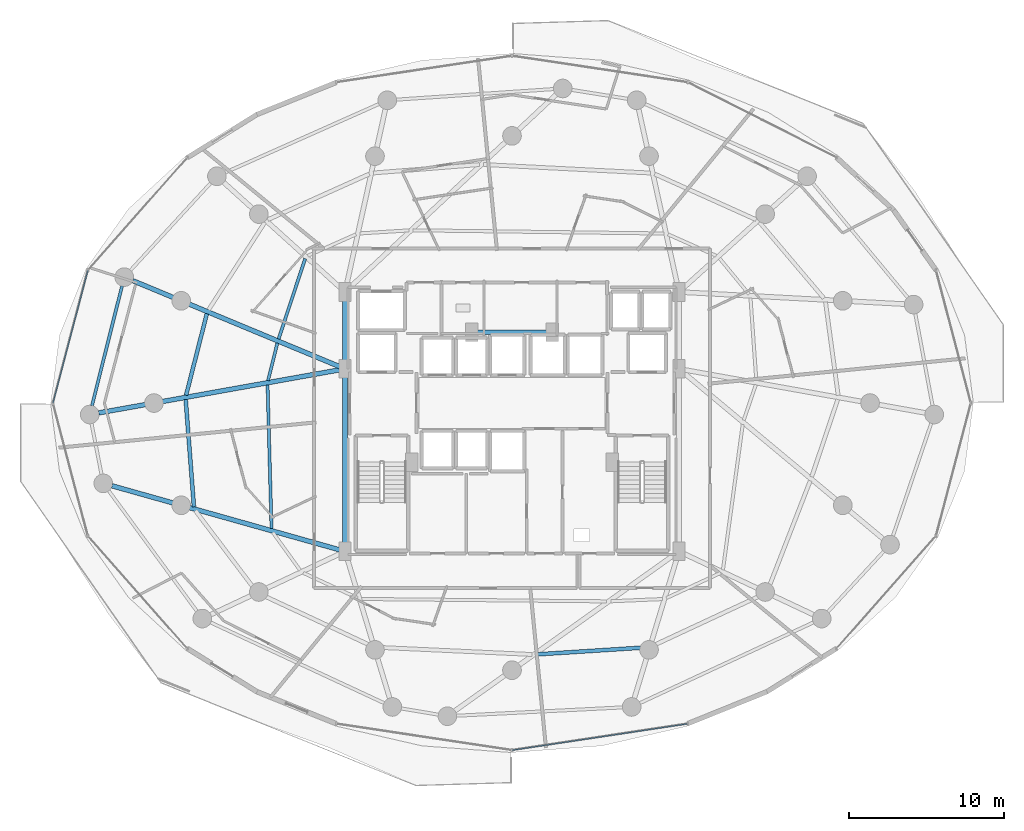
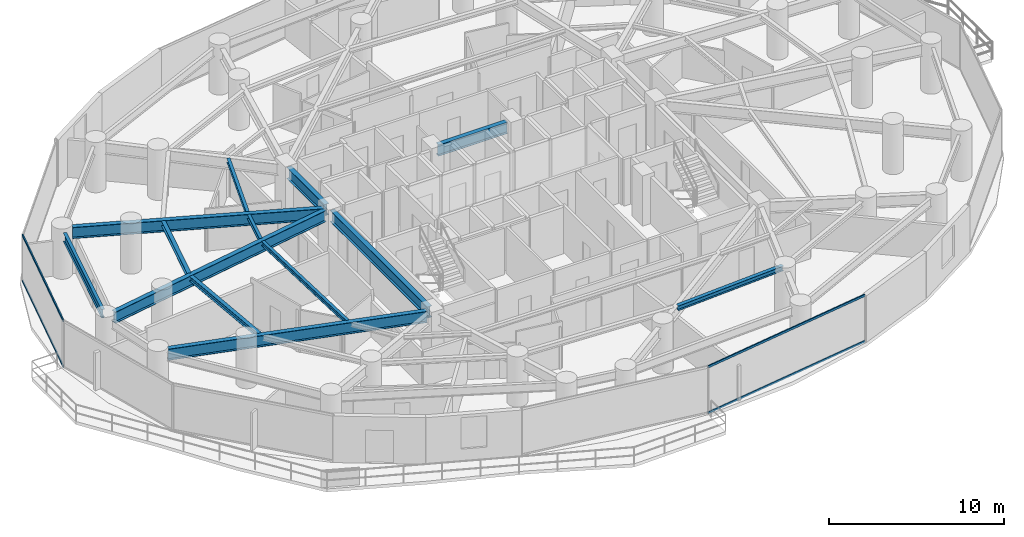
# One storey, part 8 of 30: 13 beams, 4 members, 2 elements without a shape of their own.
"""IFC4 building model written with IfcOpenShell, lengths in metres."""

from ifc_helpers import new_model, si_unit, direction, frame, origin, origin_2d, place, context, subcontext, project, spatial, hollow_rectangle, i_section, extrude, material, material_profile, profile_set, type_object, element, aggregate, save


model = new_model("IFC4")

# Units and contexts
model_context = context("Model", 3, precision=1e-05, world=origin(), true_north=direction((0.0, 1.0)))
body_context = subcontext(model_context, "Body", "Model", "MODEL_VIEW")
ifc_project = project(units=[si_unit("LENGTHUNIT", "METRE"), si_unit("AREAUNIT", "SQUARE_METRE"), si_unit("VOLUMEUNIT", "CUBIC_METRE"), si_unit("PLANEANGLEUNIT", "RADIAN"), si_unit("MASSUNIT", "GRAM", prefix="KILO")], contexts=[model_context])

# Site, building, storey
site_placement = place(None, origin())
site = spatial("IfcSite", under=ifc_project, at=site_placement, CompositionType="ELEMENT")
building_placement = place(site_placement, origin())
building = spatial("IfcBuilding", under=site, at=building_placement, Name="Vorneva Point Tower", CompositionType="ELEMENT")
storey_placement = place(building_placement, frame((0.0, 0.0, 55.5)))
storey = spatial("IfcBuildingStorey", under=building, at=storey_placement, Name="L14", CompositionType="ELEMENT", Elevation=55.5)

# Beams
ifc_material_1 = material(Name="Steel S355", Category="steel")
ifc_material_profile_1 = material_profile(ifc_material_1, i_section(OverallWidth=0.300048828125, OverallDepth=0.7880859375, WebThickness=0.014404296875, FlangeThickness=0.02197265625, at=origin_2d()), Name="80Sh1")
ifc_profile_set_1 = profile_set([ifc_material_profile_1], Name="Steel S355")
beam_type_1 = type_object("IfcBeamType", Name="BM-GRD-80Sh1", PredefinedType="USERDEFINED", material=ifc_profile_set_1)
beam_1_placement = place(storey_placement, frame((13.58203125, 33.8798828125, 2.845947265625), z_axis=(0.923441131162, -0.383740116847, 0.0), x_axis=(0.383740116847, 0.923441131162, 0.0)))
element("IfcBeam", 1, at=beam_1_placement, inside=storey, type_object=beam_type_1, Name="L14 Radial Primary Girder 08", ObjectType="GIRDER", PredefinedType="USERDEFINED", context=body_context, shape_type="SweptSolid", body=[
    extrude(i_section(OverallWidth=0.300048828125, OverallDepth=0.7880859375, WebThickness=0.014404296875, FlangeThickness=0.02197265625, at=origin_2d()), origin(), (0.0, 0.0, 1.0), 14.461181640625),
])
beam_2_placement = place(storey_placement, frame((11.396728515625, 25.364501953125, 2.845947265625), z_axis=(0.984378532035, 0.176065060895, 0.0), x_axis=(-0.176065060895, 0.984378532035, 0.0)))
element("IfcBeam", 2, at=beam_2_placement, inside=storey, type_object=beam_type_1, Name="L14 Radial Primary Girder 09", ObjectType="GIRDER", PredefinedType="USERDEFINED", context=body_context, shape_type="SweptSolid", body=[
    extrude(i_section(OverallWidth=0.300048828125, OverallDepth=0.7880859375, WebThickness=0.014404296875, FlangeThickness=0.02197265625, at=origin_2d()), origin(), (0.0, 0.0, 1.0), 15.764892578125),
])
beam_3_placement = place(storey_placement, frame((12.254150390625, 20.67041015625, 2.845947265625), z_axis=(0.962601076089, -0.270922808772, 0.0), x_axis=(0.270922808772, 0.962601076089, 0.0)))
element("IfcBeam", 3, at=beam_3_placement, inside=storey, type_object=beam_type_1, Name="L14 Radial Primary Girder 10", ObjectType="GIRDER", PredefinedType="USERDEFINED", context=body_context, shape_type="SweptSolid", body=[
    extrude(i_section(OverallWidth=0.300048828125, OverallDepth=0.7880859375, WebThickness=0.014404296875, FlangeThickness=0.02197265625, at=origin_2d()), origin(), (0.0, 0.0, 1.0), 15.23828125),
])
beam_4_placement = place(storey_placement, frame((27.25, 16.77001953125, 2.845947265625), z_axis=(0.0, 1.0, 0.0), x_axis=(-1.0, 0.0, 0.0)))
element("IfcBeam", 4, at=beam_4_placement, inside=storey, type_object=beam_type_1, Name="L14 Core Tie Girder CT1", ObjectType="GIRDER", PredefinedType="USERDEFINED", context=body_context, shape_type="SweptSolid", body=[
    extrude(i_section(OverallWidth=0.300048828125, OverallDepth=0.7880859375, WebThickness=0.014404296875, FlangeThickness=0.02197265625, at=origin_2d()), origin(), (0.0, 0.0, 1.0), 11.10986328125),
])
beam_5_placement = place(storey_placement, frame((27.25, 28.52001953125, 2.845947265625), z_axis=(0.0, 1.0, 0.0), x_axis=(-1.0, 0.0, 0.0)))
element("IfcBeam", 5, at=beam_5_placement, inside=storey, type_object=beam_type_1, Name="L14 Core Tie Girder CT2", ObjectType="GIRDER", PredefinedType="USERDEFINED", context=body_context, shape_type="SweptSolid", body=[
    extrude(i_section(OverallWidth=0.300048828125, OverallDepth=0.7880859375, WebThickness=0.014404296875, FlangeThickness=0.02197265625, at=origin_2d()), origin(), (0.0, 0.0, 1.0), 4.31005859375),
])
beam_6_placement = place(storey_placement, frame((35.719970703125, 30.550048828125, 2.845947265625), z_axis=(1.0, 0.0, 0.0), x_axis=(0.0, 1.0, 0.0)))
element("IfcBeam", 6, at=beam_6_placement, inside=storey, type_object=beam_type_1, Name="L14 Core Tie Girder CT8", ObjectType="GIRDER", PredefinedType="USERDEFINED", context=body_context, shape_type="SweptSolid", body=[
    extrude(i_section(OverallWidth=0.300048828125, OverallDepth=0.7880859375, WebThickness=0.014404296875, FlangeThickness=0.02197265625, at=origin_2d()), origin(), (0.0, 0.0, 1.0), 4.56005859375),
])
ifc_material_profile_2 = material_profile(ifc_material_1, i_section(OverallWidth=0.199951171875, OverallDepth=0.291015625, WebThickness=0.008056640625, FlangeThickness=0.010986328125, at=origin_2d()), Name="30Sh1")
ifc_profile_set_2 = profile_set([ifc_material_profile_2], Name="Steel S355")
beam_type_2 = type_object("IfcBeamType", Name="BM-SEC-30Sh1", PredefinedType="BEAM", material=ifc_profile_set_2)
beam_7_placement = place(storey_placement, frame((24.6865234375, 35.295166015625, 3.094482421875), z_axis=(-0.314599828302, -0.949224392877, 0.0), x_axis=(0.949224392877, -0.314599828302, 0.0)))
element("IfcBeam", 7, at=beam_7_placement, inside=storey, type_object=beam_type_2, Name="L14 Secondary Floor Beam 2.07", PredefinedType="BEAM", context=body_context, shape_type="SweptSolid", body=[
    extrude(i_section(OverallWidth=0.199951171875, OverallDepth=0.291015625, WebThickness=0.008056640625, FlangeThickness=0.010986328125, at=origin_2d()), origin(), (0.0, 0.0, 1.0), 5.445556640625),
])
beam_8_placement = place(storey_placement, frame((22.896484375, 29.861328125, 3.094482421875), z_axis=(-0.241890637233, -0.970303519327, 0.0), x_axis=(0.970303519327, -0.241890637233, 0.0)))
element("IfcBeam", 8, at=beam_8_placement, inside=storey, type_object=beam_type_2, Name="L14 Secondary Floor Beam 2.08", PredefinedType="BEAM", context=body_context, shape_type="SweptSolid", body=[
    extrude(i_section(OverallWidth=0.199951171875, OverallDepth=0.291015625, WebThickness=0.008056640625, FlangeThickness=0.010986328125, at=origin_2d()), origin(), (0.0, 0.0, 1.0), 2.493896484375),
])
beam_9_placement = place(storey_placement, frame((22.263427734375, 27.16943359375, 3.094482421875), z_axis=(0.027541538291, -0.999620659885, 0.0), x_axis=(0.999620659885, 0.027541538291, 0.0)))
element("IfcBeam", 9, at=beam_9_placement, inside=storey, type_object=beam_type_2, Name="L14 Secondary Floor Beam 2.09", PredefinedType="BEAM", context=body_context, shape_type="SweptSolid", body=[
    extrude(i_section(OverallWidth=0.199951171875, OverallDepth=0.291015625, WebThickness=0.008056640625, FlangeThickness=0.010986328125, at=origin_2d()), origin(), (0.0, 0.0, 1.0), 9.25439453125),
])
ifc_material_profile_3 = material_profile(ifc_material_1, i_section(OverallWidth=0.2490234375, OverallDepth=0.333984375, WebThickness=0.008056640625, FlangeThickness=0.010986328125, at=origin_2d()), Name="35Sh1")
ifc_profile_set_3 = profile_set([ifc_material_profile_3], Name="Steel S355")
beam_type_3 = type_object("IfcBeamType", Name="BM-SEC-35Sh1", PredefinedType="BEAM", material=ifc_profile_set_3)
beam_10_placement = place(storey_placement, frame((18.35546875, 31.748291015625, 3.072998046875), z_axis=(-0.246900841895, -0.969040749541, 0.0), x_axis=(0.969040749541, -0.246900841895, 0.0)))
element("IfcBeam", 10, at=beam_10_placement, inside=storey, type_object=beam_type_3, Name="L14 Secondary Floor Beam 1.08", PredefinedType="BEAM", context=body_context, shape_type="SweptSolid", body=[
    extrude(i_section(OverallWidth=0.2490234375, OverallDepth=0.333984375, WebThickness=0.008056640625, FlangeThickness=0.010986328125, at=origin_2d()), origin(), (0.0, 0.0, 1.0), 5.418701171875),
])
beam_11_placement = place(storey_placement, frame((16.993896484375, 26.22607421875, 3.072998046875), z_axis=(0.076577869425, -0.997063603746, 0.0), x_axis=(0.997063603746, 0.076577869425, 0.0)))
element("IfcBeam", 11, at=beam_11_placement, inside=storey, type_object=beam_type_3, Name="L14 Secondary Floor Beam 1.09", PredefinedType="BEAM", context=body_context, shape_type="SweptSolid", body=[
    extrude(i_section(OverallWidth=0.2490234375, OverallDepth=0.333984375, WebThickness=0.008056640625, FlangeThickness=0.010986328125, at=origin_2d()), origin(), (0.0, 0.0, 1.0), 6.924560546875),
])
beam_12_placement = place(storey_placement, frame((39.552490234375, 9.815673828125, 3.072998046875), z_axis=(0.997965043885, 0.063763400031, 0.0), x_axis=(-0.063763400031, 0.997965043885, 0.0)))
element("IfcBeam", 12, at=beam_12_placement, inside=storey, type_object=beam_type_3, Name="L14 Secondary Floor Beam 1.13", PredefinedType="BEAM", context=body_context, shape_type="SweptSolid", body=[
    extrude(i_section(OverallWidth=0.2490234375, OverallDepth=0.333984375, WebThickness=0.008056640625, FlangeThickness=0.010986328125, at=origin_2d()), origin(), (0.0, 0.0, 1.0), 7.1982421875),
])
ifc_material_profile_4 = material_profile(ifc_material_1, i_section(OverallWidth=0.198974609375, OverallDepth=0.595947265625, WebThickness=0.010009765625, FlangeThickness=0.014892578125, at=origin_2d()), Name="60B1")
ifc_profile_set_4 = profile_set([ifc_material_profile_4], Name="Steel S355")
beam_type_4 = type_object("IfcBeamType", Name="BM-SPN-60B1", PredefinedType="SPANDREL", material=ifc_profile_set_4)
beam_13_placement = place(storey_placement, frame((12.896484375, 33.5380859375, 2.94189453125), z_axis=(-0.243554441672, -0.969887227435, 0.0), x_axis=(0.969887227435, -0.243554441672, 0.0)))
element("IfcBeam", 13, at=beam_13_placement, inside=storey, type_object=beam_type_4, Name="L14 Perimeter Spandrel Ring Beam 08", PredefinedType="SPANDREL", context=body_context, shape_type="SweptSolid", body=[
    extrude(i_section(OverallWidth=0.198974609375, OverallDepth=0.595947265625, WebThickness=0.010009765625, FlangeThickness=0.014892578125, at=origin_2d()), origin(), (0.0, 0.0, 1.0), 7.948974609375),
])

# Curtain wall, members
ifc_material_2 = material(Name="Pale anodised aluminium", Category="aluminium")
curtain_wall_type = type_object("IfcCurtainWallType", Name="CW-HTL-SYS", PredefinedType="NOTDEFINED", material=ifc_material_2)
curtain_wall_1_placement = place(storey_placement, origin())
curtain_wall_1 = element("IfcCurtainWall", 14, at=curtain_wall_1_placement, inside=storey, type_object=curtain_wall_type, Name="L14 Unitised Curtain Wall CW-L14-R03", PredefinedType="NOTDEFINED")
ifc_material_profile_5 = material_profile(ifc_material_2, hollow_rectangle(XDim=0.074951171875, YDim=0.14990234375, WallThickness=0.00390625, at=origin_2d()), Name="AL-TRN 150x75x4")
ifc_profile_set_5 = profile_set([ifc_material_profile_5], Name="Pale anodised aluminium")
member_type = type_object("IfcMemberType", Name="CW-TRN-150", PredefinedType="USERDEFINED", material=ifc_profile_set_5)
member_1_placement = place(storey_placement, frame((10.699462890625, 34.552978515625, 0.02001953125), z_axis=(-0.254358772746, -0.967109928978, 0.0), x_axis=(0.967109928978, -0.254358772746, 0.0)))
member_1 = element("IfcMember", 15, at=member_1_placement, type_object=member_type, Name="CW-L14-R03 Transom 02.1", ObjectType="TRANSOM", PredefinedType="USERDEFINED", context=body_context, shape_type="SweptSolid", body=[
    extrude(hollow_rectangle(XDim=0.074951171875, YDim=0.14990234375, WallThickness=0.00390625, at=origin_2d()), origin(), (0.0, 0.0, 1.0), 8.84375),
])
member_2_placement = place(storey_placement, frame((10.699462890625, 34.552978515625, 3.219970703125), z_axis=(-0.254358772746, -0.967109928978, 0.0), x_axis=(0.967109928978, -0.254358772746, 0.0)))
member_2 = element("IfcMember", 16, at=member_2_placement, type_object=member_type, Name="CW-L14-R03 Transom 02.2", ObjectType="TRANSOM", PredefinedType="USERDEFINED", context=body_context, shape_type="SweptSolid", body=[
    extrude(hollow_rectangle(XDim=0.074951171875, YDim=0.14990234375, WallThickness=0.00390625, at=origin_2d()), origin(), (0.0, 0.0, 1.0), 8.84375),
])
aggregate(curtain_wall_1, [member_1, member_2])

curtain_wall_2_placement = place(storey_placement, origin())
curtain_wall_2 = element("IfcCurtainWall", 17, at=curtain_wall_2_placement, inside=storey, type_object=curtain_wall_type, Name="L14 Unitised Curtain Wall CW-L14-R04", PredefinedType="NOTDEFINED")
member_3_placement = place(storey_placement, frame((38.0, 3.64990234375, 0.02001953125), z_axis=(0.988870014575, 0.148782036131, 0.0), x_axis=(-0.148782036131, 0.988870014575, 0.0)))
member_3 = element("IfcMember", 18, at=member_3_placement, type_object=member_type, Name="CW-L14-R04 Transom 02.1", ObjectType="TRANSOM", PredefinedType="USERDEFINED", context=body_context, shape_type="SweptSolid", body=[
    extrude(hollow_rectangle(XDim=0.074951171875, YDim=0.14990234375, WallThickness=0.00390625, at=origin_2d()), origin(), (0.0, 0.0, 1.0), 11.435546875),
])
member_4_placement = place(storey_placement, frame((38.0, 3.64990234375, 3.219970703125), z_axis=(0.988870014575, 0.148782036131, 0.0), x_axis=(-0.148782036131, 0.988870014575, 0.0)))
member_4 = element("IfcMember", 19, at=member_4_placement, type_object=member_type, Name="CW-L14-R04 Transom 02.2", ObjectType="TRANSOM", PredefinedType="USERDEFINED", context=body_context, shape_type="SweptSolid", body=[
    extrude(hollow_rectangle(XDim=0.074951171875, YDim=0.14990234375, WallThickness=0.00390625, at=origin_2d()), origin(), (0.0, 0.0, 1.0), 11.435546875),
])
aggregate(curtain_wall_2, [member_3, member_4])

save(model, "model.ifc")
